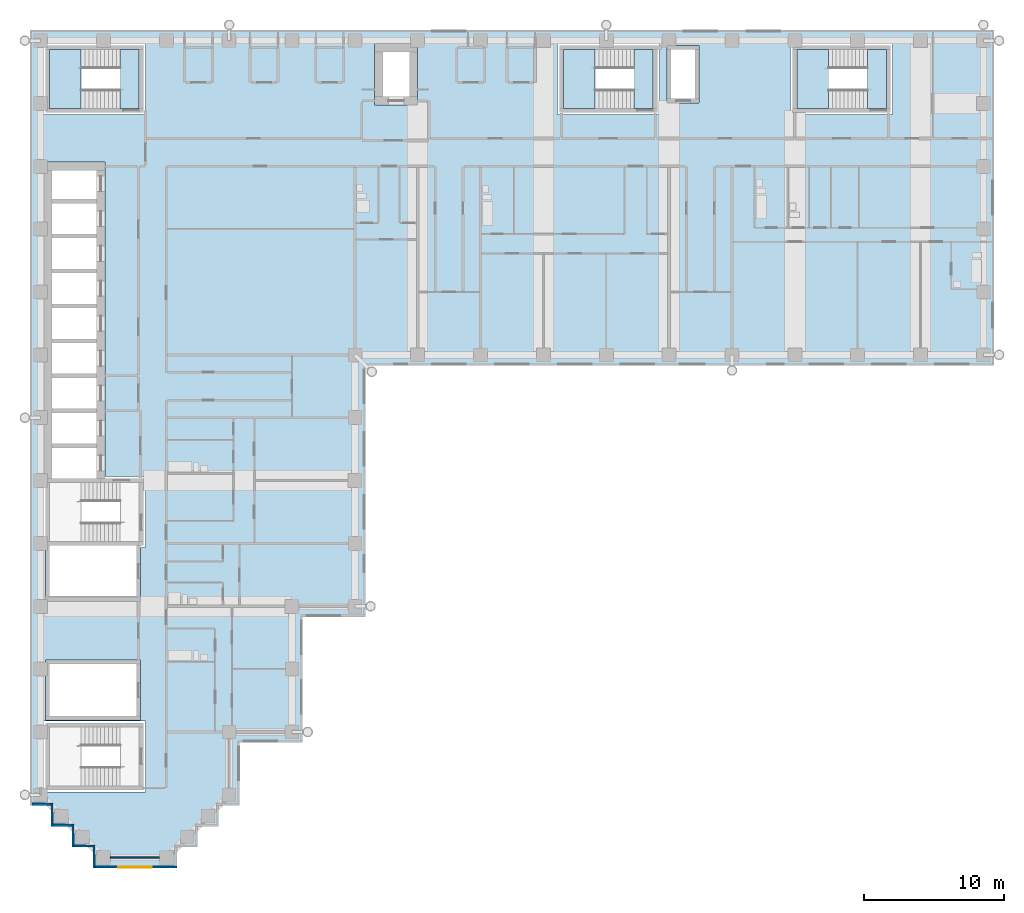
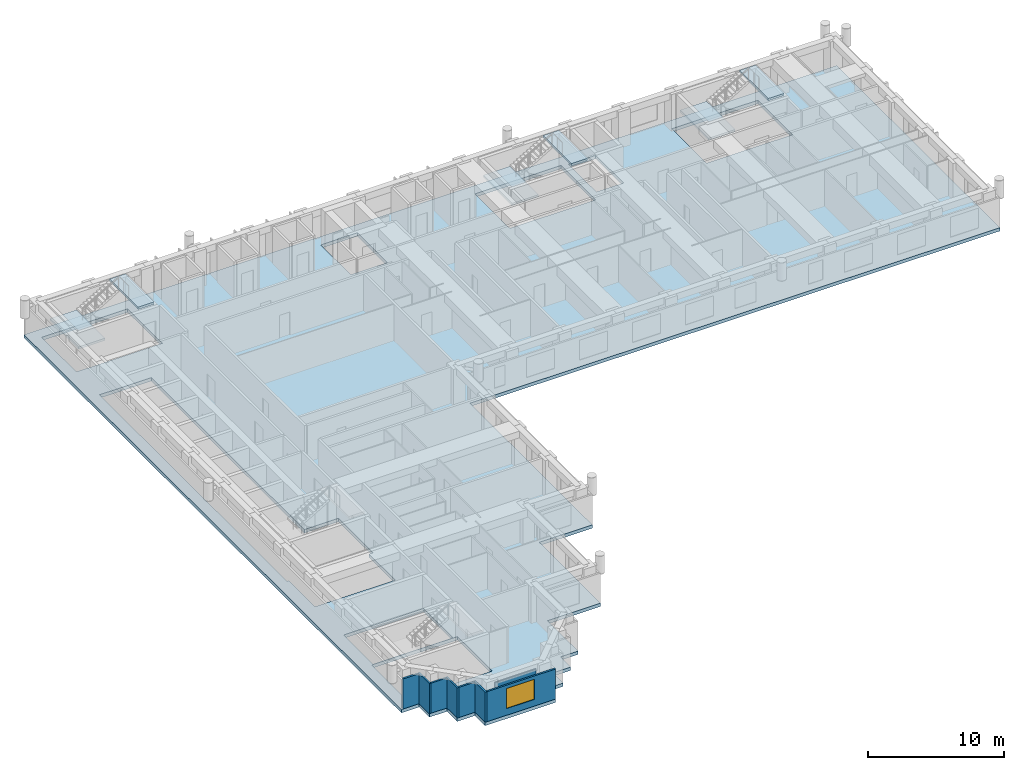
# One storey, part 4 of 15: 8 walls, 7 slabs, 1 window, 1 opening, 3 elements without a shape of their own.
"""IFC4 building model written with IfcOpenShell, lengths in metres."""

from ifc_helpers import new_model, si_unit, direction, frame, frame_2d, origin, place, context, subcontext, project, spatial, polyline, rectangle, outline, extrude, material, layer, layer_set, type_object, element, fill, aggregate, save


model = new_model("IFC4")

# Units and contexts
model_context = context("Model", 3, precision=1e-05, world=origin(), true_north=direction((0.0, 1.0)))
body_context = subcontext(model_context, "Body", "Model", "MODEL_VIEW")
ifc_project = project(units=[si_unit("LENGTHUNIT", "METRE"), si_unit("AREAUNIT", "SQUARE_METRE"), si_unit("VOLUMEUNIT", "CUBIC_METRE"), si_unit("PLANEANGLEUNIT", "RADIAN"), si_unit("MASSUNIT", "GRAM", prefix="KILO")], contexts=[model_context])

# Site, building, storey
site_placement = place(None, origin())
site = spatial("IfcSite", under=ifc_project, at=site_placement, CompositionType="ELEMENT")
building_placement = place(site_placement, origin())
building = spatial("IfcBuilding", under=site, at=building_placement, Name="Firuza Court", CompositionType="ELEMENT")
storey_placement = place(building_placement, frame((0.0, 0.0, 137.60009765625)))
storey = spatial("IfcBuildingStorey", under=building, at=storey_placement, Name="L34", CompositionType="ELEMENT", Elevation=137.60009765625)

# Slab
ifc_material_1 = material(Name="Concrete C40/50", Category="concrete")
ifc_layer_1 = layer(ifc_material_1, 0.300048828125)
ifc_layer_set_1 = layer_set([ifc_layer_1], Name="Concrete C40/50")
slab_type_1 = type_object("IfcSlabType", Name="Floor slab 300 C40/50", PredefinedType="FLOOR", material=ifc_layer_set_1)
slab_1_placement = place(storey_placement, frame((0.0, 0.0, -0.300048828125)))
element("IfcSlab", 1, at=slab_1_placement, inside=storey, type_object=slab_type_1, Name="Floor slab L34", PredefinedType="FLOOR", context=body_context, shape_type="SweptSolid", body=[
    extrude(outline(polyline([(3.75, -0.75), (3.75, 0.75), (2.25, 0.75), (2.25, 2.25), (0.75, 2.25), (0.75, 3.75), (-0.75, 3.75), (-0.75, 59.25), (68.25, 59.25), (68.25, 35.25), (23.25, 35.25), (23.25, 17.25), (18.75, 17.25), (18.75, 8.25), (14.25, 8.25), (14.25, 3.75), (12.75, 3.75), (12.75, 2.25), (11.25, 2.25), (11.25, 0.75), (9.75, 0.75), (9.75, -0.75), (3.75, -0.75)]), holes=[polyline([(0.199951171875, 29.800048828125), (0.199951171875, 29.199951171875), (0.199951171875, 27.300048828125), (0.199951171875, 26.699951171875), (0.199951171875, 22.199951171875), (0.35009765625, 22.199951171875), (0.35009765625, 18.35009765625), (7.14990234375, 18.35009765625), (7.14990234375, 22.199951171875), (7.5, 22.199951171875), (7.5, 27.300048828125), (4.60009765625, 27.300048828125), (4.60009765625, 29.199951171875), (4.60009765625, 29.800048828125), (4.60009765625, 31.699951171875), (4.60009765625, 32.300048828125), (4.60009765625, 34.199951171875), (4.60009765625, 34.800048828125), (4.60009765625, 36.699951171875), (4.60009765625, 37.300048828125), (4.60009765625, 39.199951171875), (4.60009765625, 39.800048828125), (4.60009765625, 41.699951171875), (4.60009765625, 42.300048828125), (4.60009765625, 44.199951171875), (4.60009765625, 44.800048828125), (4.60009765625, 46.699951171875), (4.60009765625, 47.300048828125), (4.60009765625, 49.800048828125), (0.199951171875, 49.800048828125), (0.199951171875, 47.300048828125), (0.199951171875, 46.699951171875), (0.199951171875, 44.800048828125), (0.199951171875, 44.199951171875), (0.199951171875, 42.300048828125), (0.199951171875, 41.699951171875), (0.199951171875, 39.800048828125), (0.199951171875, 39.199951171875), (0.199951171875, 37.300048828125), (0.199951171875, 36.699951171875), (0.199951171875, 34.800048828125), (0.199951171875, 34.199951171875), (0.199951171875, 32.300048828125), (0.199951171875, 31.699951171875), (0.199951171875, 29.800048828125)]), polyline([(7.5, 9.800048828125), (0.199951171875, 9.800048828125), (0.199951171875, 4.699951171875), (7.5, 4.699951171875), (7.5, 9.800048828125)]), polyline([(7.14990234375, 14.14990234375), (0.35009765625, 14.14990234375), (0.35009765625, 9.85009765625), (7.14990234375, 9.85009765625), (7.14990234375, 14.14990234375)]), polyline([(7.5, 58.300048828125), (0.199951171875, 58.300048828125), (0.199951171875, 53.199951171875), (7.5, 53.199951171875), (7.5, 58.300048828125)]), polyline([(44.300048828125, 58.300048828125), (37.0, 58.300048828125), (37.0, 53.199951171875), (44.300048828125, 53.199951171875), (44.300048828125, 58.300048828125)]), polyline([(61.0, 58.300048828125), (53.699951171875, 58.300048828125), (53.699951171875, 53.199951171875), (61.0, 53.199951171875), (61.0, 58.300048828125)]), polyline([(27.0, 53.89990234375), (27.0, 58.300048828125), (23.89990234375, 58.300048828125), (23.89990234375, 53.89990234375), (27.0, 53.89990234375)]), polyline([(47.14990234375, 54.050048828125), (47.14990234375, 58.14990234375), (44.85009765625, 58.14990234375), (44.85009765625, 54.050048828125), (47.14990234375, 54.050048828125)])]), origin(), (0.0, 0.0, 1.0), 0.300048828125),
])

# Stair, slabs
ifc_material_2 = material(Name="Concrete C40/50 precast", Category="concrete")
stair_type = type_object("IfcStairType", Name="Stair 1350 x 3600 2 flights", PredefinedType="HALF_TURN_STAIR", material=ifc_material_2)
stair_1_placement = place(storey_placement, origin())
stair_1 = element("IfcStair", 2, at=stair_1_placement, inside=storey, type_object=stair_type, Name="Stair 1 L34", PredefinedType="HALF_TURN_STAIR")
ifc_material_3 = material(Name="Concrete C40/50 precast", Category="concrete")
ifc_layer_2 = layer(ifc_material_3, 0.199951171875)
ifc_layer_set_2 = layer_set([ifc_layer_2], Name="Concrete C40/50 precast")
slab_type_2 = type_object("IfcSlabType", Name="Stair landing 200", PredefinedType="LANDING", material=ifc_layer_set_2)
slab_2_placement = place(storey_placement, frame((0.0, 0.0, 1.599853515625)))
slab_2 = element("IfcSlab", 3, at=slab_2_placement, type_object=slab_type_2, Name="S1 landing 1", PredefinedType="LANDING", context=body_context, shape_type="SweptSolid", body=[
    extrude(outline(polyline([(39.699951171875, 53.64990234375), (39.699951171875, 57.85009765625), (37.449951171875, 57.85009765625), (37.449951171875, 53.64990234375), (39.699951171875, 53.64990234375)])), origin(), (0.0, 0.0, 1.0), 0.199951171875),
])
slab_3_placement = place(storey_placement, frame((0.0, 0.0, 3.39990234375)))
slab_3 = element("IfcSlab", 4, at=slab_3_placement, type_object=slab_type_2, Name="S1 landing 2", PredefinedType="LANDING", context=body_context, shape_type="SweptSolid", body=[
    extrude(outline(polyline([(43.85009765625, 53.64990234375), (43.85009765625, 57.85009765625), (42.5, 57.85009765625), (42.5, 53.64990234375), (43.85009765625, 53.64990234375)])), origin(), (0.0, 0.0, 1.0), 0.199951171875),
])
aggregate(stair_1, [slab_2, slab_3])

stair_2_placement = place(storey_placement, origin())
stair_2 = element("IfcStair", 5, at=stair_2_placement, inside=storey, type_object=stair_type, Name="Stair 3 L34", PredefinedType="HALF_TURN_STAIR")
slab_4_placement = place(storey_placement, frame((0.0, 0.0, 1.599853515625)))
slab_4 = element("IfcSlab", 6, at=slab_4_placement, type_object=slab_type_2, Name="S3 landing 1", PredefinedType="LANDING", context=body_context, shape_type="SweptSolid", body=[
    extrude(outline(polyline([(2.89990234375, 53.64990234375), (2.89990234375, 57.85009765625), (0.64990234375, 57.85009765625), (0.64990234375, 53.64990234375), (2.89990234375, 53.64990234375)])), origin(), (0.0, 0.0, 1.0), 0.199951171875),
])
slab_5_placement = place(storey_placement, frame((0.0, 0.0, 3.39990234375)))
slab_5 = element("IfcSlab", 7, at=slab_5_placement, type_object=slab_type_2, Name="S3 landing 2", PredefinedType="LANDING", context=body_context, shape_type="SweptSolid", body=[
    extrude(outline(polyline([(7.050048828125, 53.64990234375), (7.050048828125, 57.85009765625), (5.699951171875, 57.85009765625), (5.699951171875, 53.64990234375), (7.050048828125, 53.64990234375)])), origin(), (0.0, 0.0, 1.0), 0.199951171875),
])
aggregate(stair_2, [slab_4, slab_5])

stair_3_placement = place(storey_placement, origin())
stair_3 = element("IfcStair", 8, at=stair_3_placement, inside=storey, type_object=stair_type, Name="Stair 4 L34", PredefinedType="HALF_TURN_STAIR")
slab_6_placement = place(storey_placement, frame((0.0, 0.0, 1.599853515625)))
slab_6 = element("IfcSlab", 9, at=slab_6_placement, type_object=slab_type_2, Name="S4 landing 1", PredefinedType="LANDING", context=body_context, shape_type="SweptSolid", body=[
    extrude(outline(polyline([(56.39990234375, 53.64990234375), (56.39990234375, 57.85009765625), (54.14990234375, 57.85009765625), (54.14990234375, 53.64990234375), (56.39990234375, 53.64990234375)])), origin(), (0.0, 0.0, 1.0), 0.199951171875),
])
slab_7_placement = place(storey_placement, frame((0.0, 0.0, 3.39990234375)))
slab_7 = element("IfcSlab", 10, at=slab_7_placement, type_object=slab_type_2, Name="S4 landing 2", PredefinedType="LANDING", context=body_context, shape_type="SweptSolid", body=[
    extrude(outline(polyline([(60.550048828125, 53.64990234375), (60.550048828125, 57.85009765625), (59.199951171875, 57.85009765625), (59.199951171875, 53.64990234375), (60.550048828125, 53.64990234375)])), origin(), (0.0, 0.0, 1.0), 0.199951171875),
])
aggregate(stair_3, [slab_6, slab_7])

# Walls
ifc_material_4 = material(Name="Timber stud partition, plasterboard both sides", Category="wood")
ifc_layer_3 = layer(ifc_material_4, 0.10009765625)
ifc_layer_set_3 = layer_set([ifc_layer_3], Name="Timber stud partition, plasterboard both sides")
wall_type_1 = type_object("IfcWallType", Name="Partition wall 100", PredefinedType="PARTITIONING", material=ifc_layer_set_3)
wall_1_placement = place(storey_placement, frame((5.0, 0.0, 0.0), z_axis=(0.0, 0.0, 1.0), x_axis=(1.0, 0.0, 0.0)))
element("IfcWall", 11, at=wall_1_placement, inside=storey, type_object=wall_type_1, Name="Partition wall 100 L34", PredefinedType="PARTITIONING", context=body_context, shape_type="SweptSolid", body=[
    extrude(rectangle(XDim=3.5, YDim=0.10009765625, at=frame_2d((1.75, 0.0))), origin(), (0.0, 0.0, 1.0), 2.699951171875),
])
ifc_material_5 = material(Name="Ceramic tile", Category="ceramic")
ifc_layer_4 = layer(ifc_material_5, 0.02001953125)
ifc_material_6 = material(Name="Mineral wool insulation", Category="insulation")
ifc_layer_5 = layer(ifc_material_6, 0.050048828125)
ifc_layer_6 = layer(ifc_material_3, 0.080078125)
ifc_layer_set_4 = layer_set([ifc_layer_4, ifc_layer_5, ifc_layer_6], Name="Concrete C40/50 precast")
wall_type_2 = type_object("IfcWallType", Name="Precast cladding wall with turquoise TILE PANEL face 150", PredefinedType="STANDARD", material=ifc_layer_set_4)
wall_2_placement = place(storey_placement, frame((-0.60009765625, 3.824951171875, 0.0), z_axis=(0.0, 0.0, 1.0), x_axis=(1.0, 0.0, 0.0)))
element("IfcWall", 12, at=wall_2_placement, inside=storey, type_object=wall_type_2, Name="Facade wall L34 S", PredefinedType="STANDARD", context=body_context, shape_type="SweptSolid", body=[
    extrude(rectangle(XDim=1.35009765625, YDim=0.14990234375, at=frame_2d((0.675048828125, 0.0))), origin(), (0.0, 0.0, 1.0), 2.699951171875),
])
wall_3_placement = place(storey_placement, frame((0.824951171875, 3.89990234375, 0.0), z_axis=(0.0, 0.0, 1.0), x_axis=(0.0, -1.0, 0.0)))
element("IfcWall", 13, at=wall_3_placement, inside=storey, type_object=wall_type_2, Name="Facade wall L34 W", PredefinedType="STANDARD", context=body_context, shape_type="SweptSolid", body=[
    extrude(rectangle(XDim=1.64990234375, YDim=0.14990234375, at=frame_2d((0.824951171875, 0.0))), origin(), (0.0, 0.0, 1.0), 2.699951171875),
])
wall_4_placement = place(storey_placement, frame((0.89990234375, 2.324951171875, 0.0), z_axis=(0.0, 0.0, 1.0), x_axis=(1.0, 0.0, 0.0)))
element("IfcWall", 14, at=wall_4_placement, inside=storey, type_object=wall_type_2, Name="Facade wall L34 S", PredefinedType="STANDARD", context=body_context, shape_type="SweptSolid", body=[
    extrude(rectangle(XDim=1.35009765625, YDim=0.14990234375, at=frame_2d((0.675048828125, 0.0))), origin(), (0.0, 0.0, 1.0), 2.699951171875),
])
wall_5_placement = place(storey_placement, frame((2.324951171875, 2.39990234375, 0.0), z_axis=(0.0, 0.0, 1.0), x_axis=(0.0, -1.0, 0.0)))
element("IfcWall", 15, at=wall_5_placement, inside=storey, type_object=wall_type_2, Name="Facade wall L34 W", PredefinedType="STANDARD", context=body_context, shape_type="SweptSolid", body=[
    extrude(rectangle(XDim=1.64990234375, YDim=0.14990234375, at=frame_2d((0.824951171875, 0.0))), origin(), (0.0, 0.0, 1.0), 2.699951171875),
])
wall_6_placement = place(storey_placement, frame((2.39990234375, 0.824951171875, 0.0), z_axis=(0.0, 0.0, 1.0), x_axis=(1.0, 0.0, 0.0)))
element("IfcWall", 16, at=wall_6_placement, inside=storey, type_object=wall_type_2, Name="Facade wall L34 S", PredefinedType="STANDARD", context=body_context, shape_type="SweptSolid", body=[
    extrude(rectangle(XDim=1.35009765625, YDim=0.14990234375, at=frame_2d((0.675048828125, 0.0))), origin(), (0.0, 0.0, 1.0), 2.699951171875),
])
wall_7_placement = place(storey_placement, frame((3.824951171875, 0.89990234375, 0.0), z_axis=(0.0, 0.0, 1.0), x_axis=(0.0, -1.0, 0.0)))
element("IfcWall", 17, at=wall_7_placement, inside=storey, type_object=wall_type_2, Name="Facade wall L34 W", PredefinedType="STANDARD", context=body_context, shape_type="SweptSolid", body=[
    extrude(rectangle(XDim=1.64990234375, YDim=0.14990234375, at=frame_2d((0.824951171875, 0.0))), origin(), (0.0, 0.0, 1.0), 2.699951171875),
])

# Wall, opening, window
wall_8_placement = place(storey_placement, frame((3.89990234375, -0.675048828125, 0.0), z_axis=(0.0, 0.0, 1.0), x_axis=(1.0, 0.0, 0.0)))
wall_8 = element("IfcWall", 18, at=wall_8_placement, inside=storey, type_object=wall_type_2, Name="Facade wall L34 S", PredefinedType="STANDARD", context=body_context, shape_type="SweptSolid", body=[
    extrude(rectangle(XDim=5.85009765625, YDim=0.14990234375, at=frame_2d((2.925048828125, 0.0))), origin(), (0.0, 0.0, 1.0), 2.699951171875),
])
opening_placement = place(wall_8_placement, frame((1.64990234375, 0.0, 0.60009765625)))
opening = element("IfcOpeningElement", 19, at=opening_placement, cuts=wall_8, Name="Opening W1", PredefinedType="OPENING", context=body_context, shape_type="SweptSolid", body=[
    extrude(rectangle(XDim=2.39990234375, YDim=1.800048828125, at=frame_2d((1.199951171875, 0.89990234375))), frame((0.0, 0.0869140625, 0.0), z_axis=(0.0, -1.0, 0.0), x_axis=(1.0, 0.0, 0.0)), (0.0, 0.0, 1.0), 0.173828125),
])
ifc_material_7 = material(Name="Aluminium frame, triple clear glazing", Category="aluminium")
window_type = type_object("IfcWindowType", Name="Window W1 2400 x 1800", PartitioningType="SINGLE_PANEL", PredefinedType="WINDOW", material=ifc_material_7)
window_placement = place(opening_placement, origin())
window = element("IfcWindow", 20, at=window_placement, inside=storey, type_object=window_type, Name="Window L34", OverallHeight=1.800048828125, OverallWidth=2.39990234375, PartitioningType="SINGLE_PANEL", PredefinedType="WINDOW", context=body_context, shape_type="SweptSolid", body=[
    extrude(rectangle(XDim=2.39990234375, YDim=1.800048828125, at=frame_2d((1.199951171875, 0.89990234375))), frame((0.0, 0.030029296875, 0.0), z_axis=(0.0, -1.0, 0.0), x_axis=(1.0, 0.0, 0.0)), (0.0, 0.0, 1.0), 0.06005859375),
])
fill(opening, window)

save(model, "model.ifc")
